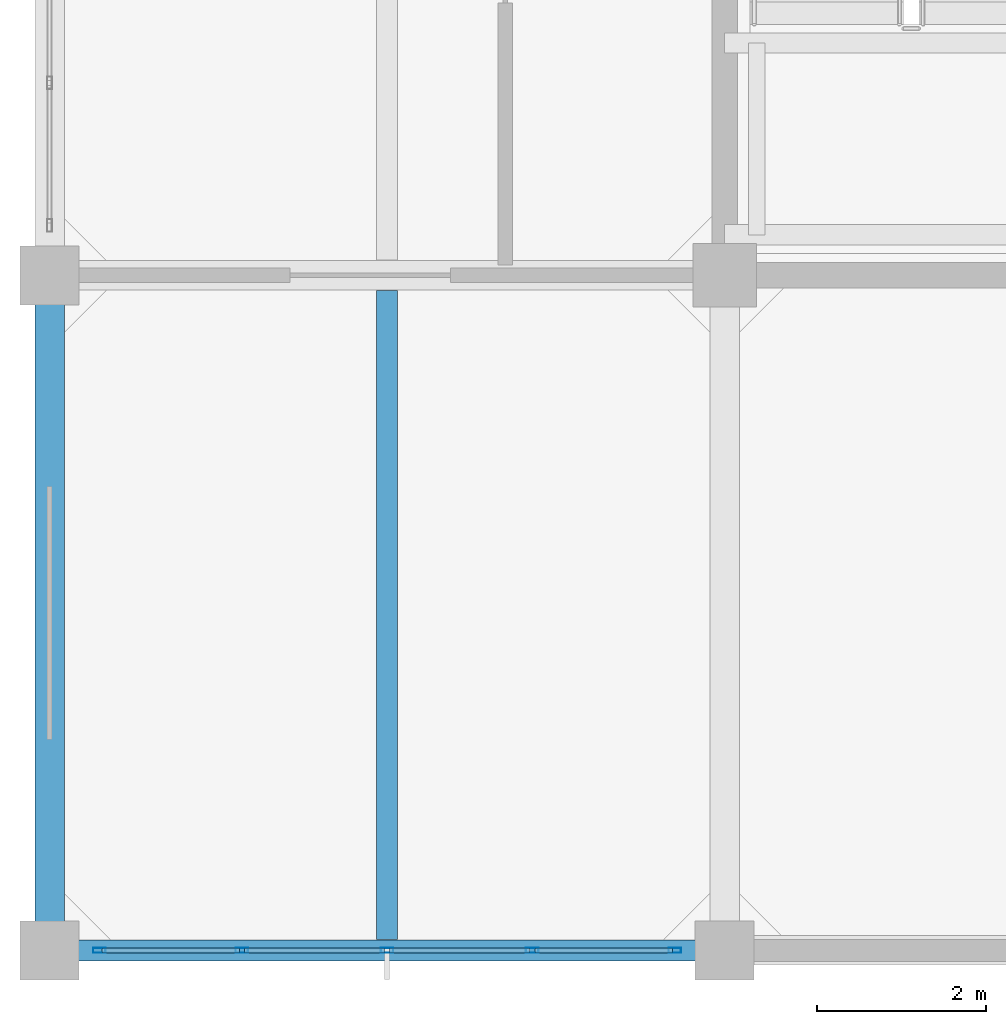
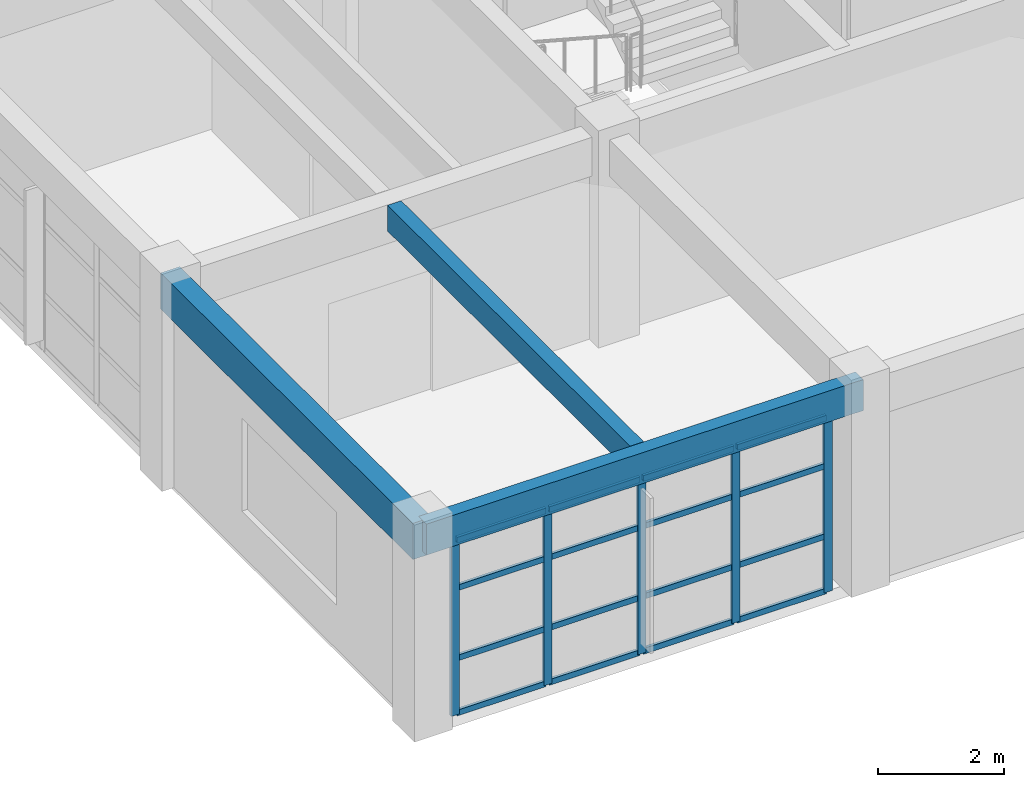
# One storey, part 2 of 19: 21 members, 3 beams, 1 element without a shape of its own.
"""IFC4 building model written with IfcOpenShell, lengths in metres."""

from ifc_helpers import new_model, si_unit, direction, frame, origin, origin_2d, place, context, subcontext, project, spatial, rectangle, hollow_rectangle, extrude, material, layer, layer_set, material_profile, profile_set, type_object, element, aggregate, save


model = new_model("IFC4")

# Units and contexts
model_context = context("Model", 3, precision=1e-05, world=origin(), true_north=direction((0.0, 1.0)))
body_context = subcontext(model_context, "Body", "Model", "MODEL_VIEW")
ifc_project = project(units=[si_unit("LENGTHUNIT", "METRE"), si_unit("AREAUNIT", "SQUARE_METRE"), si_unit("VOLUMEUNIT", "CUBIC_METRE"), si_unit("PLANEANGLEUNIT", "RADIAN"), si_unit("MASSUNIT", "GRAM", prefix="KILO")], contexts=[model_context])

# Site, building, storey
site_placement = place(None, origin())
site = spatial("IfcSite", under=ifc_project, at=site_placement, CompositionType="ELEMENT")
building_placement = place(site_placement, origin())
building = spatial("IfcBuilding", under=site, at=building_placement, Name="Canggui Botanical Conservatory", CompositionType="ELEMENT")
storey_placement = place(building_placement, frame((0.0, 0.0, 48.60009765625)))
storey = spatial("IfcBuildingStorey", under=building, at=storey_placement, Name="L12", CompositionType="ELEMENT", Elevation=48.60009765625)

# Beams
ifc_material_1 = material(Name="Concrete C35", Category="concrete")
ifc_material_profile_1 = material_profile(ifc_material_1, rectangle(XDim=0.25, YDim=0.5, at=origin_2d()), Name="RB 250x500")
ifc_profile_set_1 = profile_set([ifc_material_profile_1], Name="Concrete C35")
beam_type_1 = type_object("IfcBeamType", Name="BM-JST04", PredefinedType="JOIST", material=ifc_profile_set_1)
beam_1_placement = place(storey_placement, frame((150.0, 34.1298828125, 3.7099609375), z_axis=(0.0, 1.0, 0.0), x_axis=(-1.0, 0.0, 0.0)))
element("IfcBeam", 1, at=beam_1_placement, inside=storey, type_object=beam_type_1, Name="Secondary Floor Joist L12-1-1", PredefinedType="JOIST", context=body_context, shape_type="SweptSolid", body=[
    extrude(rectangle(XDim=0.25, YDim=0.5, at=origin_2d()), origin(), (0.0, 0.0, 1.0), 7.690185546875),
])
ifc_material_profile_2 = material_profile(ifc_material_1, rectangle(XDim=0.35009765625, YDim=0.699951171875, at=origin_2d()), Name="RB 350x700")
ifc_profile_set_2 = profile_set([ifc_material_profile_2], Name="Concrete C35")
beam_type_2 = type_object("IfcBeamType", Name="BM-KL17", PredefinedType="BEAM", material=ifc_profile_set_2)
beam_2_placement = place(storey_placement, frame((146.0, 34.0, 3.60986328125), z_axis=(0.0, 1.0, 0.0), x_axis=(-1.0, 0.0, 0.0)))
element("IfcBeam", 2, at=beam_2_placement, inside=storey, type_object=beam_type_2, Name="Frame Girder L12 X146-1", PredefinedType="BEAM", context=body_context, shape_type="SweptSolid", body=[
    extrude(rectangle(XDim=0.35009765625, YDim=0.699951171875, at=origin_2d()), origin(), (0.0, 0.0, 1.0), 8.0),
])
ifc_material_profile_3 = material_profile(ifc_material_1, rectangle(XDim=0.25, YDim=0.60009765625, at=origin_2d()), Name="RB 250x600")
ifc_profile_set_3 = profile_set([ifc_material_profile_3], Name="Concrete C35")
beam_type_3 = type_object("IfcBeamType", Name="BM-SPD02", PredefinedType="SPANDREL", material=ifc_profile_set_3)
beam_3_placement = place(storey_placement, frame((146.0, 34.0, 3.659912109375), z_axis=(1.0, 0.0, 0.0), x_axis=(0.0, 1.0, 0.0)))
element("IfcBeam", 3, at=beam_3_placement, inside=storey, type_object=beam_type_3, Name="Frame Girder L12 Y34-1", PredefinedType="SPANDREL", context=body_context, shape_type="SweptSolid", body=[
    extrude(rectangle(XDim=0.25, YDim=0.60009765625, at=origin_2d()), origin(), (0.0, 0.0, 1.0), 8.0),
])

# Curtain wall, members
ifc_material_2 = material(Name="Thermally Broken Aluminium", Category="aluminium")
ifc_layer = layer(ifc_material_2, 0.14990234375, Name="Thermally Broken Aluminium", Category="aluminium")
ifc_layer_set = layer_set([ifc_layer], Name="Thermally Broken Aluminium")
curtain_wall_type = type_object("IfcCurtainWallType", Name="CW-UNIT-C", PredefinedType="USERDEFINED", material=ifc_layer_set)
curtain_wall_placement = place(storey_placement, origin())
curtain_wall = element("IfcCurtainWall", 4, at=curtain_wall_placement, inside=storey, type_object=curtain_wall_type, Name="Facade Curtain Wall CW-TWR-L12-04", ObjectType="UNITISED CURTAIN WALL", PredefinedType="USERDEFINED")
ifc_material_profile_4 = material_profile(ifc_material_2, hollow_rectangle(XDim=0.06005859375, YDim=0.14990234375, WallThickness=0.00341796875, at=origin_2d()), Name="CWM 60x150x3.5")
ifc_profile_set_4 = profile_set([ifc_material_profile_4], Name="Thermally Broken Aluminium")
member_type_1 = type_object("IfcMemberType", Name="CWM-03", PredefinedType="MULLION", material=ifc_profile_set_4)
member_1_placement = place(storey_placement, frame((153.409912109375, 34.0, 0.0), z_axis=(0.0, 0.0, 1.0), x_axis=(0.0, -1.0, 0.0)))
member_1 = element("IfcMember", 5, at=member_1_placement, type_object=member_type_1, Name="CW-03 mullion 1", PredefinedType="MULLION", context=body_context, shape_type="SweptSolid", body=[
    extrude(hollow_rectangle(XDim=0.06005859375, YDim=0.14990234375, WallThickness=0.00341796875, at=origin_2d()), origin(), (0.0, 0.0, 1.0), 3.39990234375),
])
member_2_placement = place(storey_placement, frame((151.719970703125, 34.0, 0.0), z_axis=(0.0, 0.0, 1.0), x_axis=(0.0, -1.0, 0.0)))
member_2 = element("IfcMember", 6, at=member_2_placement, type_object=member_type_1, Name="CW-03 mullion 2", PredefinedType="MULLION", context=body_context, shape_type="SweptSolid", body=[
    extrude(hollow_rectangle(XDim=0.06005859375, YDim=0.14990234375, WallThickness=0.00341796875, at=origin_2d()), origin(), (0.0, 0.0, 1.0), 3.39990234375),
])
member_3_placement = place(storey_placement, frame((150.0, 34.0, 0.0), z_axis=(0.0, 0.0, 1.0), x_axis=(0.0, -1.0, 0.0)))
member_3 = element("IfcMember", 7, at=member_3_placement, type_object=member_type_1, Name="CW-03 mullion 3", PredefinedType="MULLION", context=body_context, shape_type="SweptSolid", body=[
    extrude(hollow_rectangle(XDim=0.06005859375, YDim=0.14990234375, WallThickness=0.00341796875, at=origin_2d()), origin(), (0.0, 0.0, 1.0), 3.39990234375),
])
member_4_placement = place(storey_placement, frame((148.280029296875, 34.0, 0.0), z_axis=(0.0, 0.0, 1.0), x_axis=(0.0, -1.0, 0.0)))
member_4 = element("IfcMember", 8, at=member_4_placement, type_object=member_type_1, Name="CW-03 mullion 4", PredefinedType="MULLION", context=body_context, shape_type="SweptSolid", body=[
    extrude(hollow_rectangle(XDim=0.06005859375, YDim=0.14990234375, WallThickness=0.00341796875, at=origin_2d()), origin(), (0.0, 0.0, 1.0), 3.39990234375),
])
member_5_placement = place(storey_placement, frame((146.590087890625, 34.0, 0.0), z_axis=(0.0, 0.0, 1.0), x_axis=(0.0, -1.0, 0.0)))
member_5 = element("IfcMember", 9, at=member_5_placement, type_object=member_type_1, Name="CW-03 mullion 5", PredefinedType="MULLION", context=body_context, shape_type="SweptSolid", body=[
    extrude(hollow_rectangle(XDim=0.06005859375, YDim=0.14990234375, WallThickness=0.00341796875, at=origin_2d()), origin(), (0.0, 0.0, 1.0), 3.39990234375),
])
ifc_material_profile_5 = material_profile(ifc_material_2, hollow_rectangle(XDim=0.054931640625, YDim=0.110107421875, WallThickness=0.0029296875, at=origin_2d()), Name="CWT 55x110x3")
ifc_profile_set_5 = profile_set([ifc_material_profile_5], Name="Thermally Broken Aluminium")
member_type_2 = type_object("IfcMemberType", Name="CWT-03", PredefinedType="USERDEFINED", material=ifc_profile_set_5)
member_6_placement = place(storey_placement, frame((153.3798828125, 34.0, 0.02734375), z_axis=(-1.0, 0.0, 0.0), x_axis=(0.0, -1.0, 0.0)))
member_6 = element("IfcMember", 10, at=member_6_placement, type_object=member_type_2, Name="CW-03 transom 1.1", ObjectType="TRANSOM", PredefinedType="USERDEFINED", context=body_context, shape_type="SweptSolid", body=[
    extrude(hollow_rectangle(XDim=0.054931640625, YDim=0.110107421875, WallThickness=0.0029296875, at=origin_2d()), origin(), (0.0, 0.0, 1.0), 1.6298828125),
])
member_7_placement = place(storey_placement, frame((153.3798828125, 34.0, 1.087890625), z_axis=(-1.0, 0.0, 0.0), x_axis=(0.0, -1.0, 0.0)))
member_7 = element("IfcMember", 11, at=member_7_placement, type_object=member_type_2, Name="CW-03 transom 1.2", ObjectType="TRANSOM", PredefinedType="USERDEFINED", context=body_context, shape_type="SweptSolid", body=[
    extrude(hollow_rectangle(XDim=0.054931640625, YDim=0.110107421875, WallThickness=0.0029296875, at=origin_2d()), origin(), (0.0, 0.0, 1.0), 1.6298828125),
])
member_8_placement = place(storey_placement, frame((153.3798828125, 34.0, 2.447998046875), z_axis=(-1.0, 0.0, 0.0), x_axis=(0.0, -1.0, 0.0)))
member_8 = element("IfcMember", 12, at=member_8_placement, type_object=member_type_2, Name="CW-03 transom 1.3", ObjectType="TRANSOM", PredefinedType="USERDEFINED", context=body_context, shape_type="SweptSolid", body=[
    extrude(hollow_rectangle(XDim=0.054931640625, YDim=0.110107421875, WallThickness=0.0029296875, at=origin_2d()), origin(), (0.0, 0.0, 1.0), 1.6298828125),
])
member_9_placement = place(storey_placement, frame((153.3798828125, 34.0, 3.372314453125), z_axis=(-1.0, 0.0, 0.0), x_axis=(0.0, -1.0, 0.0)))
member_9 = element("IfcMember", 13, at=member_9_placement, type_object=member_type_2, Name="CW-03 transom 1.4", ObjectType="TRANSOM", PredefinedType="USERDEFINED", context=body_context, shape_type="SweptSolid", body=[
    extrude(hollow_rectangle(XDim=0.054931640625, YDim=0.110107421875, WallThickness=0.0029296875, at=origin_2d()), origin(), (0.0, 0.0, 1.0), 1.6298828125),
])
member_10_placement = place(storey_placement, frame((151.68994140625, 34.0, 0.02734375), z_axis=(-1.0, 0.0, 0.0), x_axis=(0.0, -1.0, 0.0)))
member_10 = element("IfcMember", 14, at=member_10_placement, type_object=member_type_2, Name="CW-03 transom 2.1", ObjectType="TRANSOM", PredefinedType="USERDEFINED", context=body_context, shape_type="SweptSolid", body=[
    extrude(hollow_rectangle(XDim=0.054931640625, YDim=0.110107421875, WallThickness=0.0029296875, at=origin_2d()), origin(), (0.0, 0.0, 1.0), 1.659912109375),
])
member_11_placement = place(storey_placement, frame((151.68994140625, 34.0, 1.087890625), z_axis=(-1.0, 0.0, 0.0), x_axis=(0.0, -1.0, 0.0)))
member_11 = element("IfcMember", 15, at=member_11_placement, type_object=member_type_2, Name="CW-03 transom 2.2", ObjectType="TRANSOM", PredefinedType="USERDEFINED", context=body_context, shape_type="SweptSolid", body=[
    extrude(hollow_rectangle(XDim=0.054931640625, YDim=0.110107421875, WallThickness=0.0029296875, at=origin_2d()), origin(), (0.0, 0.0, 1.0), 1.659912109375),
])
member_12_placement = place(storey_placement, frame((151.68994140625, 34.0, 2.447998046875), z_axis=(-1.0, 0.0, 0.0), x_axis=(0.0, -1.0, 0.0)))
member_12 = element("IfcMember", 16, at=member_12_placement, type_object=member_type_2, Name="CW-03 transom 2.3", ObjectType="TRANSOM", PredefinedType="USERDEFINED", context=body_context, shape_type="SweptSolid", body=[
    extrude(hollow_rectangle(XDim=0.054931640625, YDim=0.110107421875, WallThickness=0.0029296875, at=origin_2d()), origin(), (0.0, 0.0, 1.0), 1.659912109375),
])
member_13_placement = place(storey_placement, frame((151.68994140625, 34.0, 3.372314453125), z_axis=(-1.0, 0.0, 0.0), x_axis=(0.0, -1.0, 0.0)))
member_13 = element("IfcMember", 17, at=member_13_placement, type_object=member_type_2, Name="CW-03 transom 2.4", ObjectType="TRANSOM", PredefinedType="USERDEFINED", context=body_context, shape_type="SweptSolid", body=[
    extrude(hollow_rectangle(XDim=0.054931640625, YDim=0.110107421875, WallThickness=0.0029296875, at=origin_2d()), origin(), (0.0, 0.0, 1.0), 1.659912109375),
])
member_14_placement = place(storey_placement, frame((149.969970703125, 34.0, 0.02734375), z_axis=(-1.0, 0.0, 0.0), x_axis=(0.0, -1.0, 0.0)))
member_14 = element("IfcMember", 18, at=member_14_placement, type_object=member_type_2, Name="CW-03 transom 3.1", ObjectType="TRANSOM", PredefinedType="USERDEFINED", context=body_context, shape_type="SweptSolid", body=[
    extrude(hollow_rectangle(XDim=0.054931640625, YDim=0.110107421875, WallThickness=0.0029296875, at=origin_2d()), origin(), (0.0, 0.0, 1.0), 1.659912109375),
])
member_15_placement = place(storey_placement, frame((149.969970703125, 34.0, 1.087890625), z_axis=(-1.0, 0.0, 0.0), x_axis=(0.0, -1.0, 0.0)))
member_15 = element("IfcMember", 19, at=member_15_placement, type_object=member_type_2, Name="CW-03 transom 3.2", ObjectType="TRANSOM", PredefinedType="USERDEFINED", context=body_context, shape_type="SweptSolid", body=[
    extrude(hollow_rectangle(XDim=0.054931640625, YDim=0.110107421875, WallThickness=0.0029296875, at=origin_2d()), origin(), (0.0, 0.0, 1.0), 1.659912109375),
])
member_16_placement = place(storey_placement, frame((149.969970703125, 34.0, 2.447998046875), z_axis=(-1.0, 0.0, 0.0), x_axis=(0.0, -1.0, 0.0)))
member_16 = element("IfcMember", 20, at=member_16_placement, type_object=member_type_2, Name="CW-03 transom 3.3", ObjectType="TRANSOM", PredefinedType="USERDEFINED", context=body_context, shape_type="SweptSolid", body=[
    extrude(hollow_rectangle(XDim=0.054931640625, YDim=0.110107421875, WallThickness=0.0029296875, at=origin_2d()), origin(), (0.0, 0.0, 1.0), 1.659912109375),
])
member_17_placement = place(storey_placement, frame((149.969970703125, 34.0, 3.372314453125), z_axis=(-1.0, 0.0, 0.0), x_axis=(0.0, -1.0, 0.0)))
member_17 = element("IfcMember", 21, at=member_17_placement, type_object=member_type_2, Name="CW-03 transom 3.4", ObjectType="TRANSOM", PredefinedType="USERDEFINED", context=body_context, shape_type="SweptSolid", body=[
    extrude(hollow_rectangle(XDim=0.054931640625, YDim=0.110107421875, WallThickness=0.0029296875, at=origin_2d()), origin(), (0.0, 0.0, 1.0), 1.659912109375),
])
member_18_placement = place(storey_placement, frame((148.25, 34.0, 0.02734375), z_axis=(-1.0, 0.0, 0.0), x_axis=(0.0, -1.0, 0.0)))
member_18 = element("IfcMember", 22, at=member_18_placement, type_object=member_type_2, Name="CW-03 transom 4.1", ObjectType="TRANSOM", PredefinedType="USERDEFINED", context=body_context, shape_type="SweptSolid", body=[
    extrude(hollow_rectangle(XDim=0.054931640625, YDim=0.110107421875, WallThickness=0.0029296875, at=origin_2d()), origin(), (0.0, 0.0, 1.0), 1.6298828125),
])
member_19_placement = place(storey_placement, frame((148.25, 34.0, 1.087890625), z_axis=(-1.0, 0.0, 0.0), x_axis=(0.0, -1.0, 0.0)))
member_19 = element("IfcMember", 23, at=member_19_placement, type_object=member_type_2, Name="CW-03 transom 4.2", ObjectType="TRANSOM", PredefinedType="USERDEFINED", context=body_context, shape_type="SweptSolid", body=[
    extrude(hollow_rectangle(XDim=0.054931640625, YDim=0.110107421875, WallThickness=0.0029296875, at=origin_2d()), origin(), (0.0, 0.0, 1.0), 1.6298828125),
])
member_20_placement = place(storey_placement, frame((148.25, 34.0, 2.447998046875), z_axis=(-1.0, 0.0, 0.0), x_axis=(0.0, -1.0, 0.0)))
member_20 = element("IfcMember", 24, at=member_20_placement, type_object=member_type_2, Name="CW-03 transom 4.3", ObjectType="TRANSOM", PredefinedType="USERDEFINED", context=body_context, shape_type="SweptSolid", body=[
    extrude(hollow_rectangle(XDim=0.054931640625, YDim=0.110107421875, WallThickness=0.0029296875, at=origin_2d()), origin(), (0.0, 0.0, 1.0), 1.6298828125),
])
member_21_placement = place(storey_placement, frame((148.25, 34.0, 3.372314453125), z_axis=(-1.0, 0.0, 0.0), x_axis=(0.0, -1.0, 0.0)))
member_21 = element("IfcMember", 25, at=member_21_placement, type_object=member_type_2, Name="CW-03 transom 4.4", ObjectType="TRANSOM", PredefinedType="USERDEFINED", context=body_context, shape_type="SweptSolid", body=[
    extrude(hollow_rectangle(XDim=0.054931640625, YDim=0.110107421875, WallThickness=0.0029296875, at=origin_2d()), origin(), (0.0, 0.0, 1.0), 1.6298828125),
])
aggregate(curtain_wall, [member_1, member_2, member_3, member_4, member_5, member_6, member_7, member_8, member_9, member_10, member_11, member_12, member_13, member_14, member_15, member_16, member_17, member_18, member_19, member_20, member_21])

save(model, "model.ifc")
